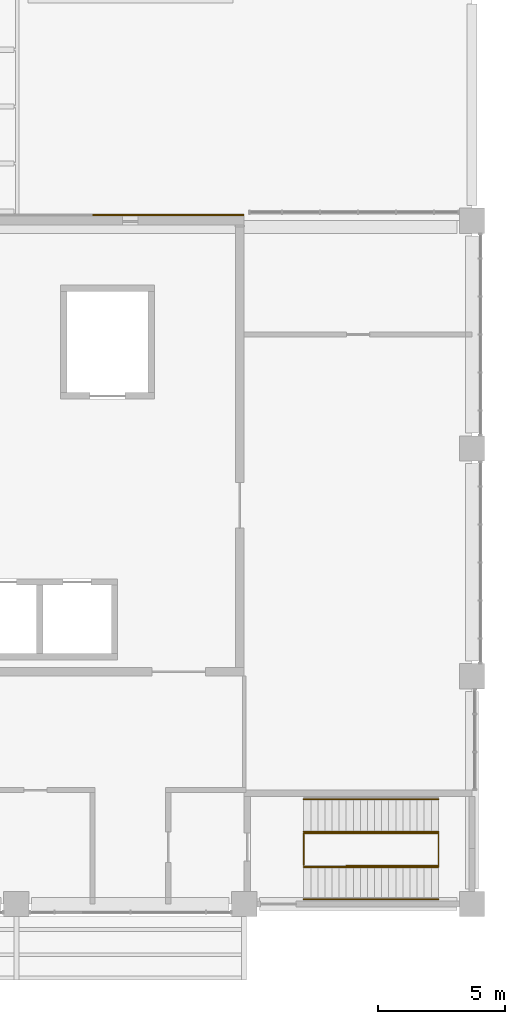
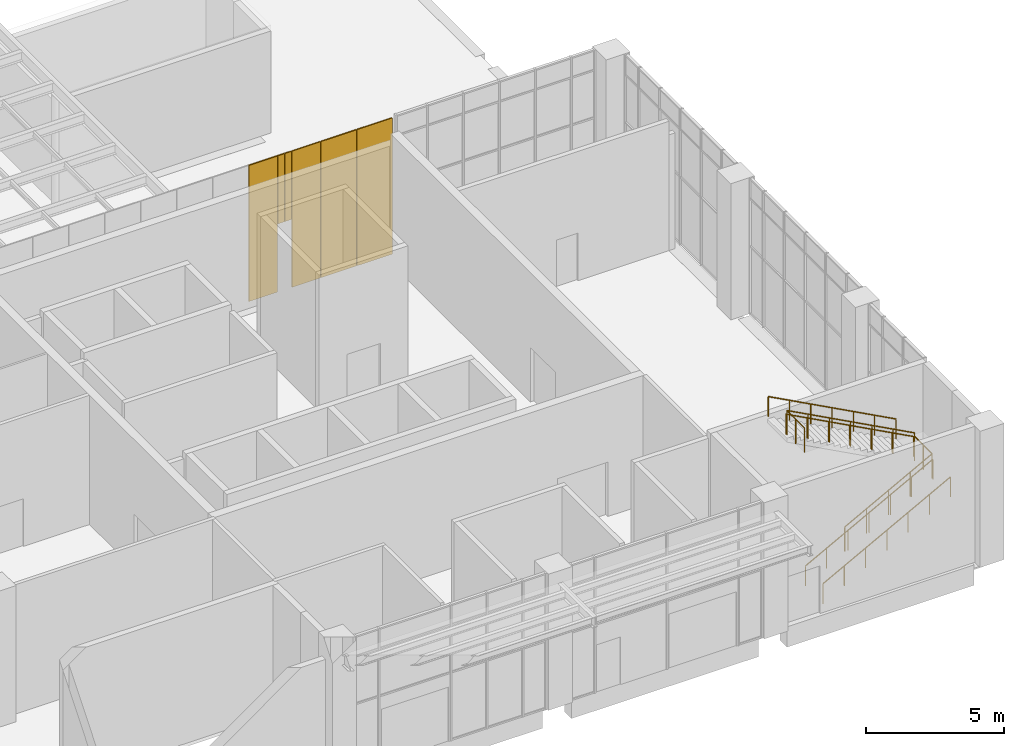
# One storey, part 82 of 86: 6 coverings, 5 railings.
"""IFC4 building model written with IfcOpenShell, lengths in metres."""

from ifc_helpers import new_model, si_unit, direction, frame, origin, origin_2d, place, context, subcontext, project, spatial, rectangle, circle, extrude, material, layer, layer_set, type_object, element, save


model = new_model("IFC4")

# Units and contexts
model_context = context("Model", 3, precision=1e-05, world=origin(), true_north=direction((0.0, 1.0)))
body_context = subcontext(model_context, "Body", "Model", "MODEL_VIEW")
ifc_project = project(units=[si_unit("LENGTHUNIT", "METRE"), si_unit("AREAUNIT", "SQUARE_METRE"), si_unit("VOLUMEUNIT", "CUBIC_METRE"), si_unit("PLANEANGLEUNIT", "RADIAN"), si_unit("MASSUNIT", "GRAM", prefix="KILO")], contexts=[model_context])

# Site, building, storey
site_placement = place(None, origin())
site = spatial("IfcSite", under=ifc_project, at=site_placement, CompositionType="ELEMENT")
building_placement = place(site_placement, origin())
building = spatial("IfcBuilding", under=site, at=building_placement, Name="Guidao Yard Department Store", CompositionType="ELEMENT")
storey_placement = place(building_placement, origin())
storey = spatial("IfcBuildingStorey", under=building, at=storey_placement, Name="L00", CompositionType="ELEMENT", Elevation=0.0)

# Coverings
ifc_material_1 = material(Name="Anodised aluminium 6063-T5 cladding", Category="aluminium")
ifc_layer = layer(ifc_material_1, 0.050048828125)
ifc_layer_set = layer_set([ifc_layer], Name="Facade cladding CP1 anodised aluminium panel 6063")
covering_type = type_object("IfcCoveringType", Name="Facade cladding CP1 anodised aluminium panel 6063", PredefinedType="CLADDING", material=ifc_layer_set)
covering_1_placement = place(storey_placement, frame((156.60009765625, 27.22509765625, 0.0), z_axis=(0.0, 0.0, 1.0), x_axis=(1.0, 0.0, 0.0)))
element("IfcCovering", 1, at=covering_1_placement, inside=storey, type_object=covering_type, Name="Core face cladding", PredefinedType="CLADDING", context=body_context, shape_type="SweptSolid", body=[
    extrude(rectangle(XDim=1.179931640625, YDim=0.050048828125, at=origin_2d()), origin(), (0.0, 0.0, 1.0), 6.0),
])
for number, where, z_axis, x_axis, name in (
    (2, (157.35009765625, 27.22509765625, 3.0), (0.0, 0.0, 1.0), (1.0, 0.0, 0.0), "Core face cladding"),
    (3, (157.64990234375, 27.22509765625, 3.0), (0.0, 0.0, 1.0), (1.0, 0.0, 0.0), "Core face cladding"),
):
    element("IfcCovering", number, at=place(storey_placement, frame(where, z_axis=z_axis, x_axis=x_axis)), inside=storey, type_object=covering_type, Name=name, PredefinedType="CLADDING", context=body_context, shape_type="SweptSolid", body=[
        extrude(rectangle(XDim=0.280029296875, YDim=0.050048828125, at=origin_2d()), origin(), (0.0, 0.0, 1.0), 3.0),
    ])
covering_2_placement = place(storey_placement, frame((158.39990234375, 27.22509765625, 0.0), z_axis=(0.0, 0.0, 1.0), x_axis=(1.0, 0.0, 0.0)))
element("IfcCovering", 4, at=covering_2_placement, inside=storey, type_object=covering_type, Name="Core face cladding", PredefinedType="CLADDING", context=body_context, shape_type="SweptSolid", body=[
    extrude(rectangle(XDim=1.179931640625, YDim=0.050048828125, at=origin_2d()), origin(), (0.0, 0.0, 1.0), 6.0),
])
for number, where, z_axis, x_axis, name in (
    (5, (159.75, 27.22509765625, 0.0), (0.0, 0.0, 1.0), (1.0, 0.0, 0.0), "Core face cladding"),
    (6, (161.25, 27.22509765625, 0.0), (0.0, 0.0, 1.0), (1.0, 0.0, 0.0), "Core face cladding"),
):
    element("IfcCovering", number, at=place(storey_placement, frame(where, z_axis=z_axis, x_axis=x_axis)), inside=storey, type_object=covering_type, Name=name, PredefinedType="CLADDING", context=body_context, shape_type="SweptSolid", body=[
        extrude(rectangle(XDim=1.47998046875, YDim=0.050048828125, at=origin_2d()), origin(), (0.0, 0.0, 1.0), 6.0),
    ])

# Railings
ifc_material_2 = material(Name="Steel Q235", Category="steel")
railing_type_1 = type_object("IfcRailingType", Name="Guard steel balustrade 1100", PredefinedType="GUARDRAIL", material=ifc_material_2)
railing_placement = place(storey_placement, frame((166.030029296875, 1.52490234375, 1.050048828125)))
element("IfcRailing", 7, at=railing_placement, inside=storey, type_object=railing_type_1, Name="Stair O2 guard L00 5", PredefinedType="GUARDRAIL", context=body_context, shape_type="SweptSolid", body=[
    extrude(circle(Radius=0.02392578125, at=origin_2d()), frame((0.0, 0.0, 1.076171875), z_axis=(0.881479091078, 0.0, 0.472223053219), x_axis=(0.0, 1.0, 0.0)), (0.0, 0.0, 1.0), 4.12939453125),
    extrude(circle(Radius=0.02392578125, at=origin_2d()), frame((3.639892578125, 0.0, 3.02587890625), z_axis=(0.0, 1.0, 0.0), x_axis=(-1.0, 0.0, 0.0)), (0.0, 0.0, 1.0), 1.275146484375),
    extrude(circle(Radius=0.02392578125, at=origin_2d()), frame((3.639892578125, 1.275146484375, 3.02587890625), z_axis=(0.0, 0.0, 1.0), x_axis=(1.0, 0.0, 0.0)), (0.0, 0.0, 1.0), 0.14990234375),
    extrude(circle(Radius=0.02392578125, at=origin_2d()), frame((3.639892578125, 1.275146484375, 3.17578125), z_axis=(-0.881466739329, 0.0, 0.472246108991), x_axis=(0.0, -1.0, 0.0)), (0.0, 0.0, 1.0), 6.03515625),
    extrude(circle(Radius=0.02392578125, at=origin_2d()), frame((-1.679931640625, 1.275146484375, 6.02587890625), z_axis=(0.0, -1.0, 0.0), x_axis=(1.0, 0.0, 0.0)), (0.0, 0.0, 1.0), 1.275146484375),
    extrude(circle(Radius=0.02099609375, at=origin_2d()), origin(), (0.0, 0.0, 1.0), 1.052001953125),
    extrude(circle(Radius=0.02099609375, at=origin_2d()), frame((0.909912109375, 0.0, 0.487548828125)), (0.0, 0.0, 1.0), 1.052001953125),
    extrude(circle(Radius=0.02099609375, at=origin_2d()), frame((1.81982421875, 0.0, 0.97509765625)), (0.0, 0.0, 1.0), 1.052001953125),
    extrude(circle(Radius=0.02099609375, at=origin_2d()), frame((2.72998046875, 0.0, 1.46240234375)), (0.0, 0.0, 1.0), 1.052001953125),
    extrude(circle(Radius=0.02099609375, at=origin_2d()), frame((3.639892578125, 0.0, 1.949951171875)), (0.0, 0.0, 1.0), 1.052001953125),
    extrude(circle(Radius=0.02099609375, at=origin_2d()), frame((3.639892578125, 0.6376953125, 1.949951171875)), (0.0, 0.0, 1.0), 1.052001953125),
    extrude(circle(Radius=0.02099609375, at=origin_2d()), frame((3.639892578125, 1.275146484375, 1.949951171875)), (0.0, 0.0, 1.0), 1.052001953125),
    extrude(circle(Radius=0.02099609375, at=origin_2d()), frame((3.639892578125, 1.275146484375, 2.099853515625)), (0.0, 0.0, 1.0), 1.052001953125),
    extrude(circle(Radius=0.02099609375, at=origin_2d()), frame((2.753173828125, 1.275146484375, 2.574951171875)), (0.0, 0.0, 1.0), 1.052001953125),
    extrude(circle(Radius=0.02099609375, at=origin_2d()), frame((1.86669921875, 1.275146484375, 3.0498046875)), (0.0, 0.0, 1.0), 1.052001953125),
    extrude(circle(Radius=0.02099609375, at=origin_2d()), frame((0.97998046875, 1.275146484375, 3.52490234375)), (0.0, 0.0, 1.0), 1.052001953125),
    extrude(circle(Radius=0.02099609375, at=origin_2d()), frame((0.09326171875, 1.275146484375, 4.0)), (0.0, 0.0, 1.0), 1.052001953125),
    extrude(circle(Radius=0.02099609375, at=origin_2d()), frame((-0.793212890625, 1.275146484375, 4.474853515625)), (0.0, 0.0, 1.0), 1.052001953125),
    extrude(circle(Radius=0.02099609375, at=origin_2d()), frame((-1.679931640625, 1.275146484375, 4.949951171875)), (0.0, 0.0, 1.0), 1.052001953125),
    extrude(circle(Radius=0.02099609375, at=origin_2d()), frame((-1.679931640625, 0.6376953125, 4.949951171875)), (0.0, 0.0, 1.0), 1.052001953125),
    extrude(circle(Radius=0.02099609375, at=origin_2d()), frame((-1.679931640625, 0.0, 4.949951171875)), (0.0, 0.0, 1.0), 1.052001953125),
])
ifc_material_3 = material(Name="Steel Q235", Category="steel")
railing_type_2 = type_object("IfcRailingType", Name="Handrail steel tube 48", PredefinedType="HANDRAIL", material=ifc_material_3)
for number, where, name in (
    (8, (164.35009765625, 0.18505859375, 0.14990234375), "Stair O2 hand rail L00 117"),
    (9, (164.35009765625, 1.465087890625, 0.14990234375), "Stair O2 hand rail L00 118"),
):
    element("IfcRailing", number, at=place(storey_placement, frame(where)), inside=storey, type_object=railing_type_2, Name=name, PredefinedType="HANDRAIL", context=body_context, shape_type="SweptSolid", body=[
        extrude(circle(Radius=0.02392578125, at=origin_2d()), frame((0.0, 0.0, 0.8759765625), z_axis=(0.881466739329, 0.0, 0.472246108991), x_axis=(0.0, 1.0, 0.0)), (0.0, 0.0, 1.0), 6.03515625),
        extrude(circle(Radius=0.02099609375, at=origin_2d()), origin(), (0.0, 0.0, 1.0), 0.851806640625),
        extrude(circle(Radius=0.02099609375, at=origin_2d()), frame((0.88671875, 0.0, 0.47509765625)), (0.0, 0.0, 1.0), 0.851806640625),
        extrude(circle(Radius=0.02099609375, at=origin_2d()), frame((1.773193359375, 0.0, 0.949951171875)), (0.0, 0.0, 1.0), 0.851806640625),
        extrude(circle(Radius=0.02099609375, at=origin_2d()), frame((2.659912109375, 0.0, 1.425048828125)), (0.0, 0.0, 1.0), 0.851806640625),
        extrude(circle(Radius=0.02099609375, at=origin_2d()), frame((3.546630859375, 0.0, 1.900146484375)), (0.0, 0.0, 1.0), 0.851806640625),
        extrude(circle(Radius=0.02099609375, at=origin_2d()), frame((4.43310546875, 0.0, 2.375)), (0.0, 0.0, 1.0), 0.851806640625),
        extrude(circle(Radius=0.02099609375, at=origin_2d()), frame((5.31982421875, 0.0, 2.85009765625)), (0.0, 0.0, 1.0), 0.851806640625),
    ])
for number, where, name in (
    (10, (169.669921875, 2.860107421875, 3.14990234375), "Stair O2 hand rail L00 119"),
    (11, (169.669921875, 4.139892578125, 3.14990234375), "Stair O2 hand rail L00 120"),
):
    element("IfcRailing", number, at=place(storey_placement, frame(where)), inside=storey, type_object=railing_type_2, Name=name, PredefinedType="HANDRAIL", context=body_context, shape_type="SweptSolid", body=[
        extrude(circle(Radius=0.02392578125, at=origin_2d()), frame((0.0, 0.0, 0.8759765625), z_axis=(-0.881466739329, 0.0, 0.472246108991), x_axis=(0.0, -1.0, 0.0)), (0.0, 0.0, 1.0), 6.03515625),
        extrude(circle(Radius=0.02099609375, at=origin_2d()), origin(), (0.0, 0.0, 1.0), 0.851806640625),
        extrude(circle(Radius=0.02099609375, at=origin_2d()), frame((-0.88671875, 0.0, 0.47509765625)), (0.0, 0.0, 1.0), 0.851806640625),
        extrude(circle(Radius=0.02099609375, at=origin_2d()), frame((-1.773193359375, 0.0, 0.949951171875)), (0.0, 0.0, 1.0), 0.851806640625),
        extrude(circle(Radius=0.02099609375, at=origin_2d()), frame((-2.659912109375, 0.0, 1.425048828125)), (0.0, 0.0, 1.0), 0.851806640625),
        extrude(circle(Radius=0.02099609375, at=origin_2d()), frame((-3.546630859375, 0.0, 1.900146484375)), (0.0, 0.0, 1.0), 0.851806640625),
        extrude(circle(Radius=0.02099609375, at=origin_2d()), frame((-4.43310546875, 0.0, 2.375)), (0.0, 0.0, 1.0), 0.851806640625),
        extrude(circle(Radius=0.02099609375, at=origin_2d()), frame((-5.31982421875, 0.0, 2.85009765625)), (0.0, 0.0, 1.0), 0.851806640625),
    ])

save(model, "model.ifc")
